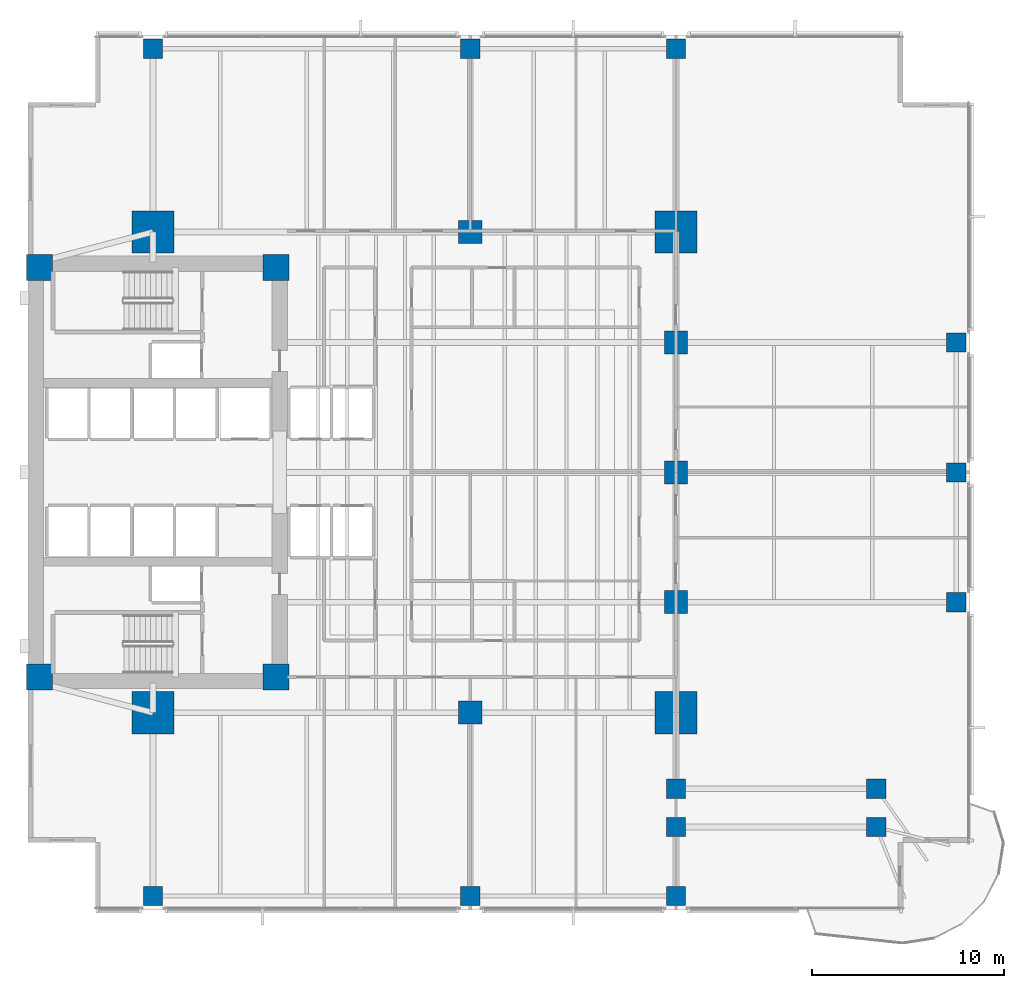
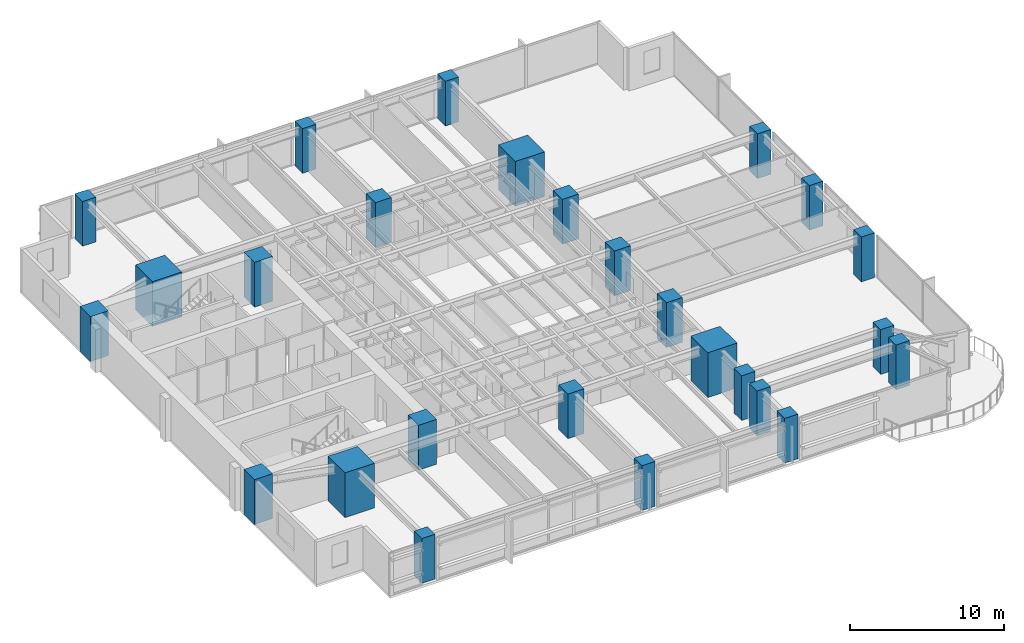
# One storey, part 1 of 15: 26 columns.
"""IFC4 building model written with IfcOpenShell, lengths in metres."""

from ifc_helpers import new_model, si_unit, direction, frame, origin, origin_2d, place, context, subcontext, project, spatial, rectangle, extrude, material, material_profile, profile_set, type_object, element, save


model = new_model("IFC4")

# Units and contexts
model_context = context("Model", 3, precision=1e-05, world=origin(), true_north=direction((0.0, 1.0)))
body_context = subcontext(model_context, "Body", "Model", "MODEL_VIEW")
ifc_project = project(units=[si_unit("LENGTHUNIT", "METRE"), si_unit("AREAUNIT", "SQUARE_METRE"), si_unit("VOLUMEUNIT", "CUBIC_METRE"), si_unit("PLANEANGLEUNIT", "RADIAN"), si_unit("MASSUNIT", "GRAM", prefix="KILO")], contexts=[model_context])

# Site, building, storey
site_placement = place(None, origin())
site = spatial("IfcSite", under=ifc_project, at=site_placement, CompositionType="ELEMENT")
building_placement = place(site_placement, origin())
building = spatial("IfcBuilding", under=site, at=building_placement, Name="Kinhvarn Gate Tower", CompositionType="ELEMENT")
storey_placement = place(building_placement, frame((0.0, 0.0, 64.64990234375)))
storey = spatial("IfcBuildingStorey", under=building, at=storey_placement, Name="L16", CompositionType="ELEMENT", Elevation=64.64990234375)

# Columns
ifc_material_1 = material(Name="Concrete C70/85", Category="concrete")
ifc_material_profile_1 = material_profile(ifc_material_1, rectangle(XDim=2.199951171875, YDim=2.199951171875, at=origin_2d()), Name="RC 2200x2200")
ifc_profile_set_1 = profile_set([ifc_material_profile_1], Name="Concrete C70/85")
column_type_1 = type_object("IfcColumnType", Name="COL-MC-2200", PredefinedType="COLUMN", material=ifc_profile_set_1)
for number, where, z_axis, x_axis, name in (
    (1, (11.0, 12.75, 0.0), (0.0, 0.0, 1.0), (1.0, 0.0, 0.0), "Column MC1-L16 (MC-22)"),
    (2, (11.0, 37.75, 0.0), (0.0, 0.0, 1.0), (1.0, 0.0, 0.0), "Column MC4-L16 (MC-22)"),
    (3, (38.199951171875, 12.75, 0.0), (0.0, 0.0, 1.0), (1.0, 0.0, 0.0), "Column MC2-L16 (MC-22)"),
    (4, (38.199951171875, 37.75, 0.0), (0.0, 0.0, 1.0), (1.0, 0.0, 0.0), "Column MC3-L16 (MC-22)"),
):
    element("IfcColumn", number, at=place(storey_placement, frame(where, z_axis=z_axis, x_axis=x_axis)), inside=storey, type_object=column_type_1, Name=name, PredefinedType="COLUMN", context=body_context, shape_type="SweptSolid", body=[
        extrude(rectangle(XDim=2.199951171875, YDim=2.199951171875, at=origin_2d()), origin(), (0.0, 0.0, 1.0), 3.550048828125),
    ])
ifc_material_2 = material(Name="Concrete C60/75", Category="concrete")
ifc_material_profile_2 = material_profile(ifc_material_2, rectangle(XDim=1.0, YDim=1.0, at=origin_2d()), Name="RC 1000x1000")
ifc_profile_set_2 = profile_set([ifc_material_profile_2], Name="Concrete C60/75")
column_type_2 = type_object("IfcColumnType", Name="COL-RC-1000", PredefinedType="COLUMN", material=ifc_profile_set_2)
for number, where, z_axis, x_axis, name in (
    (5, (48.6201171875, 6.800048828125, 0.0), (0.0, 0.0, 1.0), (1.0, 0.0, 0.0), "Column CS-SE1-L16 (C-100)"),
    (6, (38.199951171875, 6.800048828125, 0.0), (0.0, 0.0, 1.0), (1.0, 0.0, 0.0), "Column CS-ANC68-L16 (C-100)"),
    (7, (38.199951171875, 8.800048828125, 0.0), (0.0, 0.0, 1.0), (1.0, 0.0, 0.0), "Column CS-ANC88-L16 (C-100)"),
    (8, (48.6201171875, 8.800048828125, 0.0), (0.0, 0.0, 1.0), (1.0, 0.0, 0.0), "Column CS-SE1B-L16 (C-100)"),
    (9, (52.780029296875, 18.5, 0.0), (0.0, 0.0, 1.0), (1.0, 0.0, 0.0), "Column CE-1-L16 (C-100)"),
    (10, (52.780029296875, 25.25, 0.0), (0.0, 0.0, 1.0), (1.0, 0.0, 0.0), "Column CE-2-L16 (C-100)"),
    (11, (52.780029296875, 32.0, 0.0), (0.0, 0.0, 1.0), (1.0, 0.0, 0.0), "Column CE-3-L16 (C-100)"),
    (12, (11.0, 3.219970703125, 0.0), (0.0, 0.0, 1.0), (1.0, 0.0, 0.0), "Column CS-0-L16 (C-100)"),
    (13, (27.5, 3.219970703125, 0.0), (0.0, 0.0, 1.0), (1.0, 0.0, 0.0), "Column CS-1-L16 (C-100)"),
    (14, (38.199951171875, 3.219970703125, 0.0), (0.0, 0.0, 1.0), (1.0, 0.0, 0.0), "Column CS-2-L16 (C-100)"),
    (15, (11.0, 47.280029296875, 0.0), (0.0, 0.0, 1.0), (1.0, 0.0, 0.0), "Column CN-0-L16 (C-100)"),
    (16, (27.5, 47.280029296875, 0.0), (0.0, 0.0, 1.0), (1.0, 0.0, 0.0), "Column CN-1-L16 (C-100)"),
    (17, (38.199951171875, 47.280029296875, 0.0), (0.0, 0.0, 1.0), (1.0, 0.0, 0.0), "Column CN-2-L16 (C-100)"),
):
    element("IfcColumn", number, at=place(storey_placement, frame(where, z_axis=z_axis, x_axis=x_axis)), inside=storey, type_object=column_type_2, Name=name, PredefinedType="COLUMN", context=body_context, shape_type="SweptSolid", body=[
        extrude(rectangle(XDim=1.0, YDim=1.0, at=origin_2d()), origin(), (0.0, 0.0, 1.0), 3.550048828125),
    ])
ifc_material_profile_3 = material_profile(ifc_material_2, rectangle(XDim=1.199951171875, YDim=1.199951171875, at=origin_2d()), Name="RC 1200x1200")
ifc_profile_set_3 = profile_set([ifc_material_profile_3], Name="Concrete C60/75")
column_type_3 = type_object("IfcColumnType", Name="COL-RC-1200", PredefinedType="COLUMN", material=ifc_profile_set_3)
for number, where, z_axis, x_axis, name in (
    (18, (27.5, 12.75, 0.0), (0.0, 0.0, 1.0), (1.0, 0.0, 0.0), "Column SP27-S-L16 (C-120)"),
    (19, (27.5, 37.75, 0.0), (0.0, 0.0, 1.0), (1.0, 0.0, 0.0), "Column SP27-N-L16 (C-120)"),
    (20, (38.199951171875, 18.5, 0.0), (0.0, 0.0, 1.0), (1.0, 0.0, 0.0), "Column SP38-E1-L16 (C-120)"),
    (21, (38.199951171875, 25.25, 0.0), (0.0, 0.0, 1.0), (1.0, 0.0, 0.0), "Column SP38-E2-L16 (C-120)"),
    (22, (38.199951171875, 32.0, 0.0), (0.0, 0.0, 1.0), (1.0, 0.0, 0.0), "Column SP38-E3-L16 (C-120)"),
):
    element("IfcColumn", number, at=place(storey_placement, frame(where, z_axis=z_axis, x_axis=x_axis)), inside=storey, type_object=column_type_3, Name=name, PredefinedType="COLUMN", context=body_context, shape_type="SweptSolid", body=[
        extrude(rectangle(XDim=1.199951171875, YDim=1.199951171875, at=origin_2d()), origin(), (0.0, 0.0, 1.0), 3.550048828125),
    ])
ifc_material_profile_4 = material_profile(ifc_material_1, rectangle(XDim=1.35009765625, YDim=1.35009765625, at=origin_2d()), Name="RC 1350x1350")
ifc_profile_set_4 = profile_set([ifc_material_profile_4], Name="Concrete C70/85")
column_type_4 = type_object("IfcColumnType", Name="PIL-RC-1350", PredefinedType="PILASTER", material=ifc_profile_set_4)
for number, where, z_axis, x_axis, name in (
    (23, (5.10009765625, 14.60009765625, 0.0), (0.0, 0.0, 1.0), (1.0, 0.0, 0.0), "Column CC-SW-L16 (CP-135)"),
    (24, (5.10009765625, 35.89990234375, 0.0), (0.0, 0.0, 1.0), (1.0, 0.0, 0.0), "Column CC-NW-L16 (CP-135)"),
    (25, (17.39990234375, 14.60009765625, 0.0), (0.0, 0.0, 1.0), (1.0, 0.0, 0.0), "Column CC-SE-L16 (CP-135)"),
    (26, (17.39990234375, 35.89990234375, 0.0), (0.0, 0.0, 1.0), (1.0, 0.0, 0.0), "Column CC-NE-L16 (CP-135)"),
):
    element("IfcColumn", number, at=place(storey_placement, frame(where, z_axis=z_axis, x_axis=x_axis)), inside=storey, type_object=column_type_4, Name=name, PredefinedType="PILASTER", context=body_context, shape_type="SweptSolid", body=[
        extrude(rectangle(XDim=1.35009765625, YDim=1.35009765625, at=origin_2d()), origin(), (0.0, 0.0, 1.0), 3.550048828125),
    ])

save(model, "model.ifc")
